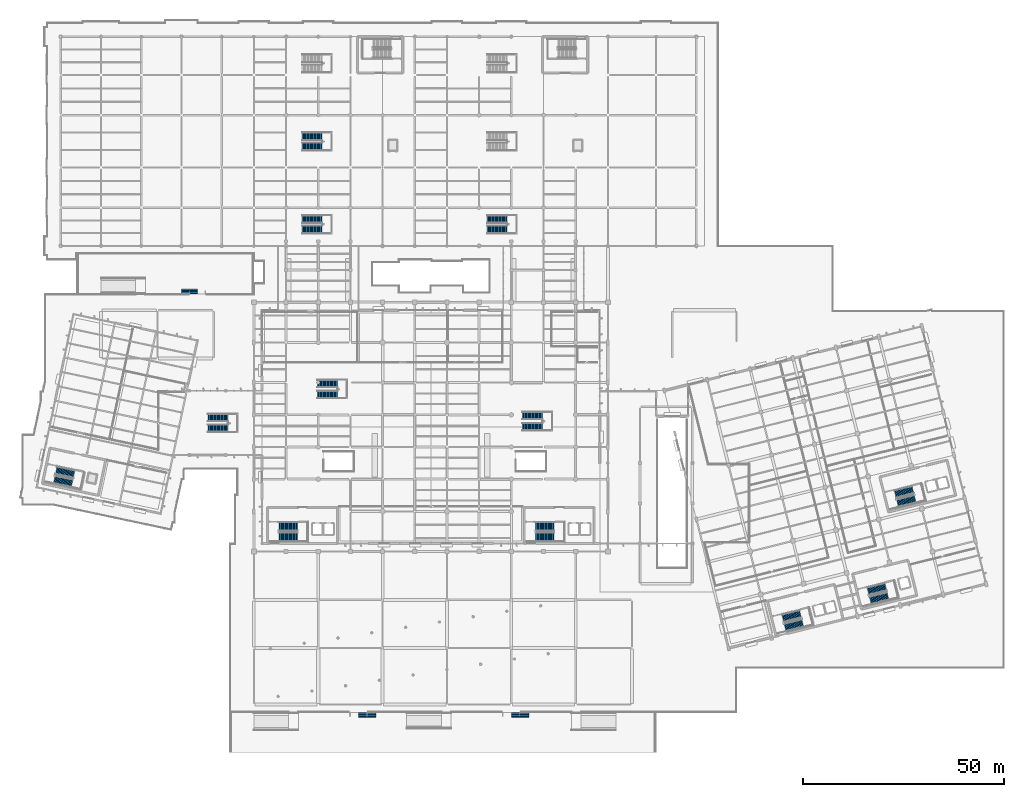
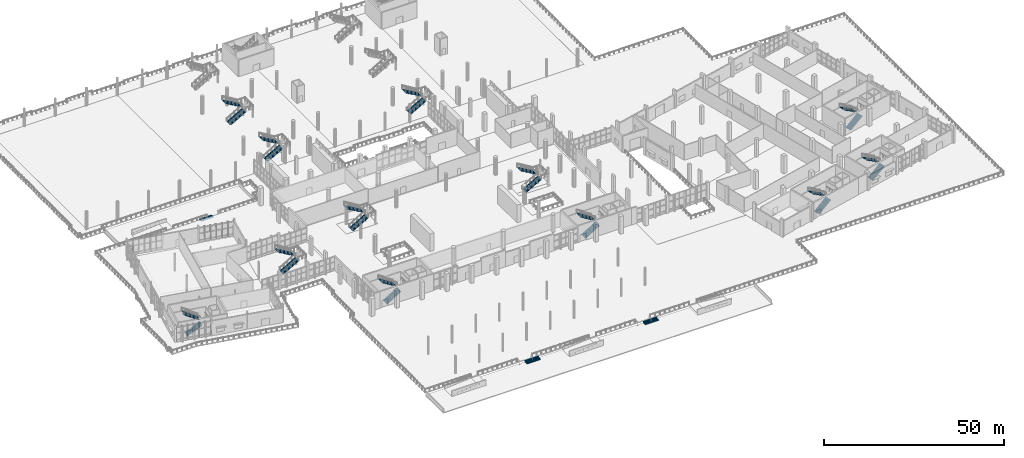
# One storey, part 132 of 163: 27 stair flights, 15 elements without a shape of their own.
"""IFC4 building model written with IfcOpenShell, lengths in metres."""

from ifc_helpers import new_model, si_unit, direction, frame, origin, place, context, subcontext, project, spatial, polyline, outline, extrude, material, type_object, element, aggregate, save


model = new_model("IFC4")

# Units and contexts
model_context = context("Model", 3, precision=1e-05, world=origin(), true_north=direction((0.0, 1.0)))
body_context = subcontext(model_context, "Body", "Model", "MODEL_VIEW")
ifc_project = project(units=[si_unit("LENGTHUNIT", "METRE"), si_unit("AREAUNIT", "SQUARE_METRE"), si_unit("VOLUMEUNIT", "CUBIC_METRE"), si_unit("PLANEANGLEUNIT", "RADIAN"), si_unit("MASSUNIT", "GRAM", prefix="KILO")], contexts=[model_context])

# Site, building, storey
site_placement = place(None, origin())
site = spatial("IfcSite", under=ifc_project, at=site_placement, CompositionType="ELEMENT")
building_placement = place(site_placement, origin())
building = spatial("IfcBuilding", under=site, at=building_placement, Name="Khorjan Park Terminus", CompositionType="ELEMENT")
storey_placement = place(building_placement, origin())
storey = spatial("IfcBuildingStorey", under=building, at=storey_placement, Name="L00", CompositionType="ELEMENT", Elevation=0.0)

# Stair, stair flight
ifc_material = material(Name="Concrete C40/50", Category="concrete")
stair_type_1 = type_object("IfcStairType", Name="STR-CIV-400", PredefinedType="STRAIGHT_RUN_STAIR", material=ifc_material)
stair_1_placement = place(storey_placement, origin())
stair_1 = element("IfcStair", 1, at=stair_1_placement, inside=storey, type_object=stair_type_1, Name="Monumental civic entrance stair ES-03", PredefinedType="STRAIGHT_RUN_STAIR")
stair_flight_type_1 = type_object("IfcStairFlightType", Name="FLT-CIV-400", PredefinedType="STRAIGHT", material=ifc_material)
stair_flight_1_placement = place(storey_placement, frame((32.0, 91.28, -0.72), z_axis=(0.0, 0.0, 1.0), x_axis=(0.0, -1.0, 0.0)))
stair_flight_1 = element("IfcStairFlight", 2, at=stair_flight_1_placement, type_object=stair_flight_type_1, Name="Civic stair ES-03 flight", NumberOfRisers=5, NumberOfTreads=4, PredefinedType="STRAIGHT", RiserHeight=0.144, TreadLength=0.32, context=body_context, shape_type="SweptSolid", body=[
    extrude(outline(polyline([(0.0, 0.0), (0.0, 0.144), (0.32, 0.144), (0.32, 0.288), (0.64, 0.288), (0.64, 0.432), (0.96, 0.432), (0.96, 0.576), (1.28, 0.576), (1.28, 0.0), (0.0, 0.0)])), frame((0.0, 2.0, 0.0), z_axis=(0.0, -1.0, 0.0), x_axis=(1.0, 0.0, 0.0)), (0.0, 0.0, 1.0), 4.0),
])
aggregate(stair_1, [stair_flight_1])

stair_type_2 = type_object("IfcStairType", Name="STR-CIV-440", PredefinedType="STRAIGHT_RUN_STAIR", material=ifc_material)
stair_2_placement = place(storey_placement, origin())
stair_2 = element("IfcStair", 3, at=stair_2_placement, inside=storey, type_object=stair_type_2, Name="Monumental civic entrance stair ES-01", PredefinedType="STRAIGHT_RUN_STAIR")
stair_flight_type_2 = type_object("IfcStairFlightType", Name="FLT-CIV-440", PredefinedType="STRAIGHT", material=ifc_material)
stair_flight_2_placement = place(storey_placement, frame((76.2, -15.28, -0.72), z_axis=(0.0, 0.0, 1.0), x_axis=(0.0, 1.0, 0.0)))
stair_flight_2 = element("IfcStairFlight", 4, at=stair_flight_2_placement, type_object=stair_flight_type_2, Name="Civic stair ES-01 flight", NumberOfRisers=5, NumberOfTreads=4, PredefinedType="STRAIGHT", RiserHeight=0.144, TreadLength=0.32, context=body_context, shape_type="SweptSolid", body=[
    extrude(outline(polyline([(0.0, 0.0), (0.0, 0.144), (0.32, 0.144), (0.32, 0.288), (0.64, 0.288), (0.64, 0.432), (0.96, 0.432), (0.96, 0.576), (1.28, 0.576), (1.28, 0.0), (0.0, 0.0)])), frame((0.0, 2.2, 0.0), z_axis=(0.0, -1.0, 0.0), x_axis=(1.0, 0.0, 0.0)), (0.0, 0.0, 1.0), 4.4),
])
aggregate(stair_2, [stair_flight_2])

stair_3_placement = place(storey_placement, origin())
stair_3 = element("IfcStair", 5, at=stair_3_placement, inside=storey, type_object=stair_type_2, Name="Monumental civic entrance stair ES-02", PredefinedType="STRAIGHT_RUN_STAIR")
stair_flight_3_placement = place(storey_placement, frame((114.2, -15.28, -0.72), z_axis=(0.0, 0.0, 1.0), x_axis=(0.0, 1.0, 0.0)))
stair_flight_3 = element("IfcStairFlight", 6, at=stair_flight_3_placement, type_object=stair_flight_type_2, Name="Civic stair ES-02 flight", NumberOfRisers=5, NumberOfTreads=4, PredefinedType="STRAIGHT", RiserHeight=0.144, TreadLength=0.32, context=body_context, shape_type="SweptSolid", body=[
    extrude(outline(polyline([(0.0, 0.0), (0.0, 0.144), (0.32, 0.144), (0.32, 0.288), (0.64, 0.288), (0.64, 0.432), (0.96, 0.432), (0.96, 0.576), (1.28, 0.576), (1.28, 0.0), (0.0, 0.0)])), frame((0.0, 2.2, 0.0), z_axis=(0.0, -1.0, 0.0), x_axis=(1.0, 0.0, 0.0)), (0.0, 0.0, 1.0), 4.4),
])
aggregate(stair_3, [stair_flight_3])

# Stair, stair flights
stair_type_3 = type_object("IfcStairType", Name="STR-CORE-200", PredefinedType="HALF_TURN_STAIR", material=ifc_material)
stair_4_placement = place(storey_placement, origin())
stair_4 = element("IfcStair", 7, at=stair_4_placement, inside=storey, type_object=stair_type_3, Name="L00 Operations West Firefighting Core exit stair ST-03", PredefinedType="HALF_TURN_STAIR")
stair_flight_type_3 = type_object("IfcStairFlightType", Name="FLT-STC-20", PredefinedType="STRAIGHT", material=ifc_material)
stair_flight_4_placement = place(storey_placement, frame((180.0436, 7.0989, 0.0), z_axis=(0.0, 0.0, 1.0), x_axis=(0.970295726276, 0.2419218956, 0.0)))
stair_flight_4 = element("IfcStairFlight", 8, at=stair_flight_4_placement, type_object=stair_flight_type_3, Name="ST-03 flight 1", NumberOfRisers=17, NumberOfTreads=16, PredefinedType="STRAIGHT", RiserHeight=0.176470588, TreadLength=0.285, context=body_context, shape_type="SweptSolid", body=[
    extrude(outline(polyline([(0.0, 0.0), (0.0, 0.1765), (0.285, 0.1765), (0.285, 0.3529), (0.57, 0.3529), (0.57, 0.5294), (0.855, 0.5294), (0.855, 0.7059), (1.14, 0.7059), (1.14, 0.8824), (1.425, 0.8824), (1.425, 1.0588), (1.71, 1.0588), (1.71, 1.2353), (1.995, 1.2353), (1.995, 1.4118), (2.28, 1.4118), (2.28, 1.5882), (2.565, 1.5882), (2.565, 1.7647), (2.85, 1.7647), (2.85, 1.9412), (3.135, 1.9412), (3.135, 2.1176), (3.42, 2.1176), (3.42, 2.2941), (3.705, 2.2941), (3.705, 2.4706), (3.99, 2.4706), (3.99, 2.6471), (4.275, 2.6471), (4.275, 2.8235), (4.56, 2.8235), (4.56, 3.0), (4.56, 2.6353), (0.3039, 0.0), (0.0, 0.0)])), frame((0.0, 1.0, 0.0), z_axis=(0.0, -1.0, 0.0), x_axis=(1.0, 0.0, 0.0)), (0.0, 0.0, 1.0), 2.0),
])
stair_flight_5_placement = place(storey_placement, frame((183.8972, 10.4919, 3.0), z_axis=(0.0, 0.0, 1.0), x_axis=(-0.970295726276, -0.2419218956, 0.0)))
stair_flight_5 = element("IfcStairFlight", 9, at=stair_flight_5_placement, type_object=stair_flight_type_3, Name="ST-03 flight 2", NumberOfRisers=17, NumberOfTreads=16, PredefinedType="STRAIGHT", RiserHeight=0.176470588, TreadLength=0.285, context=body_context, shape_type="SweptSolid", body=[
    extrude(outline(polyline([(0.0, 0.0), (0.0, 0.1765), (0.285, 0.1765), (0.285, 0.3529), (0.57, 0.3529), (0.57, 0.5294), (0.855, 0.5294), (0.855, 0.7059), (1.14, 0.7059), (1.14, 0.8824), (1.425, 0.8824), (1.425, 1.0588), (1.71, 1.0588), (1.71, 1.2353), (1.995, 1.2353), (1.995, 1.4118), (2.28, 1.4118), (2.28, 1.5882), (2.565, 1.5882), (2.565, 1.7647), (2.85, 1.7647), (2.85, 1.9412), (3.135, 1.9412), (3.135, 2.1176), (3.42, 2.1176), (3.42, 2.2941), (3.705, 2.2941), (3.705, 2.4706), (3.99, 2.4706), (3.99, 2.6471), (4.275, 2.6471), (4.275, 2.8235), (4.56, 2.8235), (4.56, 3.0), (4.56, 2.6353), (0.3039, 0.0), (0.0, 0.0)])), frame((0.0, 1.0, 0.0), z_axis=(0.0, -1.0, 0.0), x_axis=(1.0, 0.0, 0.0)), (0.0, 0.0, 1.0), 2.0),
])
aggregate(stair_4, [stair_flight_4, stair_flight_5])

stair_5_placement = place(storey_placement, origin())
stair_5 = element("IfcStair", 10, at=stair_5_placement, inside=storey, type_object=stair_type_3, Name="L00 Operations North-East Firefighting Core exit stair ST-04", PredefinedType="HALF_TURN_STAIR")
stair_flight_6_placement = place(storey_placement, frame((208.0033, 37.9803, 0.0), z_axis=(0.0, 0.0, 1.0), x_axis=(0.970295726276, 0.2419218956, 0.0)))
stair_flight_6 = element("IfcStairFlight", 11, at=stair_flight_6_placement, type_object=stair_flight_type_3, Name="ST-04 flight 1", NumberOfRisers=17, NumberOfTreads=16, PredefinedType="STRAIGHT", RiserHeight=0.176470588, TreadLength=0.285, context=body_context, shape_type="SweptSolid", body=[
    extrude(outline(polyline([(0.0, 0.0), (0.0, 0.1765), (0.285, 0.1765), (0.285, 0.3529), (0.57, 0.3529), (0.57, 0.5294), (0.855, 0.5294), (0.855, 0.7059), (1.14, 0.7059), (1.14, 0.8824), (1.425, 0.8824), (1.425, 1.0588), (1.71, 1.0588), (1.71, 1.2353), (1.995, 1.2353), (1.995, 1.4118), (2.28, 1.4118), (2.28, 1.5882), (2.565, 1.5882), (2.565, 1.7647), (2.85, 1.7647), (2.85, 1.9412), (3.135, 1.9412), (3.135, 2.1176), (3.42, 2.1176), (3.42, 2.2941), (3.705, 2.2941), (3.705, 2.4706), (3.99, 2.4706), (3.99, 2.6471), (4.275, 2.6471), (4.275, 2.8235), (4.56, 2.8235), (4.56, 3.0), (4.56, 2.6353), (0.3039, 0.0), (0.0, 0.0)])), frame((0.0, 1.0, 0.0), z_axis=(0.0, -1.0, 0.0), x_axis=(1.0, 0.0, 0.0)), (0.0, 0.0, 1.0), 2.0),
])
stair_flight_7_placement = place(storey_placement, frame((211.8569, 41.3733, 3.0), z_axis=(0.0, 0.0, 1.0), x_axis=(-0.970295726276, -0.2419218956, 0.0)))
stair_flight_7 = element("IfcStairFlight", 12, at=stair_flight_7_placement, type_object=stair_flight_type_3, Name="ST-04 flight 2", NumberOfRisers=17, NumberOfTreads=16, PredefinedType="STRAIGHT", RiserHeight=0.176470588, TreadLength=0.285, context=body_context, shape_type="SweptSolid", body=[
    extrude(outline(polyline([(0.0, 0.0), (0.0, 0.1765), (0.285, 0.1765), (0.285, 0.3529), (0.57, 0.3529), (0.57, 0.5294), (0.855, 0.5294), (0.855, 0.7059), (1.14, 0.7059), (1.14, 0.8824), (1.425, 0.8824), (1.425, 1.0588), (1.71, 1.0588), (1.71, 1.2353), (1.995, 1.2353), (1.995, 1.4118), (2.28, 1.4118), (2.28, 1.5882), (2.565, 1.5882), (2.565, 1.7647), (2.85, 1.7647), (2.85, 1.9412), (3.135, 1.9412), (3.135, 2.1176), (3.42, 2.1176), (3.42, 2.2941), (3.705, 2.2941), (3.705, 2.4706), (3.99, 2.4706), (3.99, 2.6471), (4.275, 2.6471), (4.275, 2.8235), (4.56, 2.8235), (4.56, 3.0), (4.56, 2.6353), (0.3039, 0.0), (0.0, 0.0)])), frame((0.0, 1.0, 0.0), z_axis=(0.0, -1.0, 0.0), x_axis=(1.0, 0.0, 0.0)), (0.0, 0.0, 1.0), 2.0),
])
aggregate(stair_5, [stair_flight_6, stair_flight_7])

stair_6_placement = place(storey_placement, origin())
stair_6 = element("IfcStair", 13, at=stair_6_placement, inside=storey, type_object=stair_type_3, Name="L00 Operations Central Command Core exit stair ST-05", PredefinedType="HALF_TURN_STAIR")
stair_flight_8_placement = place(storey_placement, frame((201.2455, 13.828, 0.0), z_axis=(0.0, 0.0, 1.0), x_axis=(0.970295726276, 0.2419218956, 0.0)))
stair_flight_8 = element("IfcStairFlight", 14, at=stair_flight_8_placement, type_object=stair_flight_type_3, Name="ST-05 flight 1", NumberOfRisers=17, NumberOfTreads=16, PredefinedType="STRAIGHT", RiserHeight=0.176470588, TreadLength=0.285, context=body_context, shape_type="SweptSolid", body=[
    extrude(outline(polyline([(0.0, 0.0), (0.0, 0.1765), (0.285, 0.1765), (0.285, 0.3529), (0.57, 0.3529), (0.57, 0.5294), (0.855, 0.5294), (0.855, 0.7059), (1.14, 0.7059), (1.14, 0.8824), (1.425, 0.8824), (1.425, 1.0588), (1.71, 1.0588), (1.71, 1.2353), (1.995, 1.2353), (1.995, 1.4118), (2.28, 1.4118), (2.28, 1.5882), (2.565, 1.5882), (2.565, 1.7647), (2.85, 1.7647), (2.85, 1.9412), (3.135, 1.9412), (3.135, 2.1176), (3.42, 2.1176), (3.42, 2.2941), (3.705, 2.2941), (3.705, 2.4706), (3.99, 2.4706), (3.99, 2.6471), (4.275, 2.6471), (4.275, 2.8235), (4.56, 2.8235), (4.56, 3.0), (4.56, 2.6353), (0.3039, 0.0), (0.0, 0.0)])), frame((0.0, 1.0, 0.0), z_axis=(0.0, -1.0, 0.0), x_axis=(1.0, 0.0, 0.0)), (0.0, 0.0, 1.0), 2.0),
])
stair_flight_9_placement = place(storey_placement, frame((205.0991, 17.221, 3.0), z_axis=(0.0, 0.0, 1.0), x_axis=(-0.970295726276, -0.2419218956, 0.0)))
stair_flight_9 = element("IfcStairFlight", 15, at=stair_flight_9_placement, type_object=stair_flight_type_3, Name="ST-05 flight 2", NumberOfRisers=17, NumberOfTreads=16, PredefinedType="STRAIGHT", RiserHeight=0.176470588, TreadLength=0.285, context=body_context, shape_type="SweptSolid", body=[
    extrude(outline(polyline([(0.0, 0.0), (0.0, 0.1765), (0.285, 0.1765), (0.285, 0.3529), (0.57, 0.3529), (0.57, 0.5294), (0.855, 0.5294), (0.855, 0.7059), (1.14, 0.7059), (1.14, 0.8824), (1.425, 0.8824), (1.425, 1.0588), (1.71, 1.0588), (1.71, 1.2353), (1.995, 1.2353), (1.995, 1.4118), (2.28, 1.4118), (2.28, 1.5882), (2.565, 1.5882), (2.565, 1.7647), (2.85, 1.7647), (2.85, 1.9412), (3.135, 1.9412), (3.135, 2.1176), (3.42, 2.1176), (3.42, 2.2941), (3.705, 2.2941), (3.705, 2.4706), (3.99, 2.4706), (3.99, 2.6471), (4.275, 2.6471), (4.275, 2.8235), (4.56, 2.8235), (4.56, 3.0), (4.56, 2.6353), (0.3039, 0.0), (0.0, 0.0)])), frame((0.0, 1.0, 0.0), z_axis=(0.0, -1.0, 0.0), x_axis=(1.0, 0.0, 0.0)), (0.0, 0.0, 1.0), 2.0),
])
aggregate(stair_6, [stair_flight_8, stair_flight_9])

stair_7_placement = place(storey_placement, origin())
stair_7 = element("IfcStair", 16, at=stair_7_placement, inside=storey, type_object=stair_type_3, Name="L00 Park Pavilion Exit Core exit stair ST-08", PredefinedType="HALF_TURN_STAIR")
stair_flight_10_placement = place(storey_placement, frame((-1.6526, 43.8873, 0.0), z_axis=(0.0, 0.0, 1.0), x_axis=(0.978147600734, -0.207911690818, 0.0)))
stair_flight_10 = element("IfcStairFlight", 17, at=stair_flight_10_placement, type_object=stair_flight_type_3, Name="ST-08 flight 1", NumberOfRisers=17, NumberOfTreads=16, PredefinedType="STRAIGHT", RiserHeight=0.176470588, TreadLength=0.285, context=body_context, shape_type="SweptSolid", body=[
    extrude(outline(polyline([(0.0, 0.0), (0.0, 0.1765), (0.285, 0.1765), (0.285, 0.3529), (0.57, 0.3529), (0.57, 0.5294), (0.855, 0.5294), (0.855, 0.7059), (1.14, 0.7059), (1.14, 0.8824), (1.425, 0.8824), (1.425, 1.0588), (1.71, 1.0588), (1.71, 1.2353), (1.995, 1.2353), (1.995, 1.4118), (2.28, 1.4118), (2.28, 1.5882), (2.565, 1.5882), (2.565, 1.7647), (2.85, 1.7647), (2.85, 1.9412), (3.135, 1.9412), (3.135, 2.1176), (3.42, 2.1176), (3.42, 2.2941), (3.705, 2.2941), (3.705, 2.4706), (3.99, 2.4706), (3.99, 2.6471), (4.275, 2.6471), (4.275, 2.8235), (4.56, 2.8235), (4.56, 3.0), (4.56, 2.6353), (0.3039, 0.0), (0.0, 0.0)])), frame((0.0, 1.0, 0.0), z_axis=(0.0, -1.0, 0.0), x_axis=(1.0, 0.0, 0.0)), (0.0, 0.0, 1.0), 2.0),
])
stair_flight_11_placement = place(storey_placement, frame((3.2984, 45.2477, 3.0), z_axis=(0.0, 0.0, 1.0), x_axis=(-0.978147600734, 0.207911690818, 0.0)))
stair_flight_11 = element("IfcStairFlight", 18, at=stair_flight_11_placement, type_object=stair_flight_type_3, Name="ST-08 flight 2", NumberOfRisers=17, NumberOfTreads=16, PredefinedType="STRAIGHT", RiserHeight=0.176470588, TreadLength=0.285, context=body_context, shape_type="SweptSolid", body=[
    extrude(outline(polyline([(0.0, 0.0), (0.0, 0.1765), (0.285, 0.1765), (0.285, 0.3529), (0.57, 0.3529), (0.57, 0.5294), (0.855, 0.5294), (0.855, 0.7059), (1.14, 0.7059), (1.14, 0.8824), (1.425, 0.8824), (1.425, 1.0588), (1.71, 1.0588), (1.71, 1.2353), (1.995, 1.2353), (1.995, 1.4118), (2.28, 1.4118), (2.28, 1.5882), (2.565, 1.5882), (2.565, 1.7647), (2.85, 1.7647), (2.85, 1.9412), (3.135, 1.9412), (3.135, 2.1176), (3.42, 2.1176), (3.42, 2.2941), (3.705, 2.2941), (3.705, 2.4706), (3.99, 2.4706), (3.99, 2.6471), (4.275, 2.6471), (4.275, 2.8235), (4.56, 2.8235), (4.56, 3.0), (4.56, 2.6353), (0.3039, 0.0), (0.0, 0.0)])), frame((0.0, 1.0, 0.0), z_axis=(0.0, -1.0, 0.0), x_axis=(1.0, 0.0, 0.0)), (0.0, 0.0, 1.0), 2.0),
])
aggregate(stair_7, [stair_flight_10, stair_flight_11])

stair_type_4 = type_object("IfcStairType", Name="STR-CORE-220", PredefinedType="HALF_TURN_STAIR", material=ifc_material)
stair_8_placement = place(storey_placement, origin())
stair_8 = element("IfcStair", 19, at=stair_8_placement, inside=storey, type_object=stair_type_4, Name="L00 West Concourse Core exit stair ST-01", PredefinedType="HALF_TURN_STAIR")
stair_flight_type_4 = type_object("IfcStairFlightType", Name="FLT-STC-22", PredefinedType="STRAIGHT", material=ifc_material)
stair_flight_12_placement = place(storey_placement, frame((54.26, 29.65, 0.0), z_axis=(0.0, 0.0, 1.0), x_axis=(1.0, 0.0, 0.0)))
stair_flight_12 = element("IfcStairFlight", 20, at=stair_flight_12_placement, type_object=stair_flight_type_4, Name="ST-01 flight 1", NumberOfRisers=17, NumberOfTreads=16, PredefinedType="STRAIGHT", RiserHeight=0.176470588, TreadLength=0.285, context=body_context, shape_type="SweptSolid", body=[
    extrude(outline(polyline([(0.0, 0.0), (0.0, 0.1765), (0.285, 0.1765), (0.285, 0.3529), (0.57, 0.3529), (0.57, 0.5294), (0.855, 0.5294), (0.855, 0.7059), (1.14, 0.7059), (1.14, 0.8824), (1.425, 0.8824), (1.425, 1.0588), (1.71, 1.0588), (1.71, 1.2353), (1.995, 1.2353), (1.995, 1.4118), (2.28, 1.4118), (2.28, 1.5882), (2.565, 1.5882), (2.565, 1.7647), (2.85, 1.7647), (2.85, 1.9412), (3.135, 1.9412), (3.135, 2.1176), (3.42, 2.1176), (3.42, 2.2941), (3.705, 2.2941), (3.705, 2.4706), (3.99, 2.4706), (3.99, 2.6471), (4.275, 2.6471), (4.275, 2.8235), (4.56, 2.8235), (4.56, 3.0), (4.56, 2.6353), (0.3039, 0.0), (0.0, 0.0)])), frame((0.0, 1.1, 0.0), z_axis=(0.0, -1.0, 0.0), x_axis=(1.0, 0.0, 0.0)), (0.0, 0.0, 1.0), 2.2),
])
stair_flight_13_placement = place(storey_placement, frame((58.82, 32.21, 3.0), z_axis=(0.0, 0.0, 1.0), x_axis=(-1.0, 0.0, 0.0)))
stair_flight_13 = element("IfcStairFlight", 21, at=stair_flight_13_placement, type_object=stair_flight_type_4, Name="ST-01 flight 2", NumberOfRisers=17, NumberOfTreads=16, PredefinedType="STRAIGHT", RiserHeight=0.176470588, TreadLength=0.285, context=body_context, shape_type="SweptSolid", body=[
    extrude(outline(polyline([(0.0, 0.0), (0.0, 0.1765), (0.285, 0.1765), (0.285, 0.3529), (0.57, 0.3529), (0.57, 0.5294), (0.855, 0.5294), (0.855, 0.7059), (1.14, 0.7059), (1.14, 0.8824), (1.425, 0.8824), (1.425, 1.0588), (1.71, 1.0588), (1.71, 1.2353), (1.995, 1.2353), (1.995, 1.4118), (2.28, 1.4118), (2.28, 1.5882), (2.565, 1.5882), (2.565, 1.7647), (2.85, 1.7647), (2.85, 1.9412), (3.135, 1.9412), (3.135, 2.1176), (3.42, 2.1176), (3.42, 2.2941), (3.705, 2.2941), (3.705, 2.4706), (3.99, 2.4706), (3.99, 2.6471), (4.275, 2.6471), (4.275, 2.8235), (4.56, 2.8235), (4.56, 3.0), (4.56, 2.6353), (0.3039, 0.0), (0.0, 0.0)])), frame((0.0, 1.1, 0.0), z_axis=(0.0, -1.0, 0.0), x_axis=(1.0, 0.0, 0.0)), (0.0, 0.0, 1.0), 2.2),
])
aggregate(stair_8, [stair_flight_12, stair_flight_13])

stair_9_placement = place(storey_placement, origin())
stair_9 = element("IfcStair", 22, at=stair_9_placement, inside=storey, type_object=stair_type_4, Name="L00 East Concourse Core exit stair ST-02", PredefinedType="HALF_TURN_STAIR")
stair_flight_14_placement = place(storey_placement, frame((118.06, 29.65, 0.0), z_axis=(0.0, 0.0, 1.0), x_axis=(1.0, 0.0, 0.0)))
stair_flight_14 = element("IfcStairFlight", 23, at=stair_flight_14_placement, type_object=stair_flight_type_4, Name="ST-02 flight 1", NumberOfRisers=17, NumberOfTreads=16, PredefinedType="STRAIGHT", RiserHeight=0.176470588, TreadLength=0.285, context=body_context, shape_type="SweptSolid", body=[
    extrude(outline(polyline([(0.0, 0.0), (0.0, 0.1765), (0.285, 0.1765), (0.285, 0.3529), (0.57, 0.3529), (0.57, 0.5294), (0.855, 0.5294), (0.855, 0.7059), (1.14, 0.7059), (1.14, 0.8824), (1.425, 0.8824), (1.425, 1.0588), (1.71, 1.0588), (1.71, 1.2353), (1.995, 1.2353), (1.995, 1.4118), (2.28, 1.4118), (2.28, 1.5882), (2.565, 1.5882), (2.565, 1.7647), (2.85, 1.7647), (2.85, 1.9412), (3.135, 1.9412), (3.135, 2.1176), (3.42, 2.1176), (3.42, 2.2941), (3.705, 2.2941), (3.705, 2.4706), (3.99, 2.4706), (3.99, 2.6471), (4.275, 2.6471), (4.275, 2.8235), (4.56, 2.8235), (4.56, 3.0), (4.56, 2.6353), (0.3039, 0.0), (0.0, 0.0)])), frame((0.0, 1.1, 0.0), z_axis=(0.0, -1.0, 0.0), x_axis=(1.0, 0.0, 0.0)), (0.0, 0.0, 1.0), 2.2),
])
stair_flight_15_placement = place(storey_placement, frame((122.62, 32.21, 3.0), z_axis=(0.0, 0.0, 1.0), x_axis=(-1.0, 0.0, 0.0)))
stair_flight_15 = element("IfcStairFlight", 24, at=stair_flight_15_placement, type_object=stair_flight_type_4, Name="ST-02 flight 2", NumberOfRisers=17, NumberOfTreads=16, PredefinedType="STRAIGHT", RiserHeight=0.176470588, TreadLength=0.285, context=body_context, shape_type="SweptSolid", body=[
    extrude(outline(polyline([(0.0, 0.0), (0.0, 0.1765), (0.285, 0.1765), (0.285, 0.3529), (0.57, 0.3529), (0.57, 0.5294), (0.855, 0.5294), (0.855, 0.7059), (1.14, 0.7059), (1.14, 0.8824), (1.425, 0.8824), (1.425, 1.0588), (1.71, 1.0588), (1.71, 1.2353), (1.995, 1.2353), (1.995, 1.4118), (2.28, 1.4118), (2.28, 1.5882), (2.565, 1.5882), (2.565, 1.7647), (2.85, 1.7647), (2.85, 1.9412), (3.135, 1.9412), (3.135, 2.1176), (3.42, 2.1176), (3.42, 2.2941), (3.705, 2.2941), (3.705, 2.4706), (3.99, 2.4706), (3.99, 2.6471), (4.275, 2.6471), (4.275, 2.8235), (4.56, 2.8235), (4.56, 3.0), (4.56, 2.6353), (0.3039, 0.0), (0.0, 0.0)])), frame((0.0, 1.1, 0.0), z_axis=(0.0, -1.0, 0.0), x_axis=(1.0, 0.0, 0.0)), (0.0, 0.0, 1.0), 2.2),
])
aggregate(stair_9, [stair_flight_14, stair_flight_15])

stair_type_5 = type_object("IfcStairType", Name="STR-PUB-190", PredefinedType="HALF_TURN_STAIR", material=ifc_material)
stair_10_placement = place(storey_placement, origin())
stair_10 = element("IfcStair", 25, at=stair_10_placement, inside=storey, type_object=stair_type_5, Name="Public passenger half-turn stair CS-03", PredefinedType="HALF_TURN_STAIR")
stair_flight_type_5 = type_object("IfcStairFlightType", Name="FLT-STP-19", PredefinedType="STRAIGHT", material=ifc_material)
stair_flight_16_placement = place(storey_placement, frame((63.8, 65.01, 0.0), z_axis=(0.0, 0.0, 1.0), x_axis=(1.0, 0.0, 0.0)))
stair_flight_16 = element("IfcStairFlight", 26, at=stair_flight_16_placement, type_object=stair_flight_type_5, Name="Stair CS-03 lower flight", NumberOfRisers=18, NumberOfTreads=17, PredefinedType="STRAIGHT", RiserHeight=0.166667, TreadLength=0.29, context=body_context, shape_type="SweptSolid", body=[
    extrude(outline(polyline([(0.0, 0.0), (0.0, 0.1667), (0.29, 0.1667), (0.29, 0.3333), (0.58, 0.3333), (0.58, 0.5), (0.87, 0.5), (0.87, 0.6667), (1.16, 0.6667), (1.16, 0.8333), (1.45, 0.8333), (1.45, 1.0), (1.74, 1.0), (1.74, 1.1667), (2.03, 1.1667), (2.03, 1.3333), (2.32, 1.3333), (2.32, 1.5), (2.61, 1.5), (2.61, 1.6667), (2.9, 1.6667), (2.9, 1.8333), (3.19, 1.8333), (3.19, 2.0), (3.48, 2.0), (3.48, 2.1667), (3.77, 2.1667), (3.77, 2.3333), (4.06, 2.3333), (4.06, 2.5), (4.35, 2.5), (4.35, 2.6667), (4.64, 2.6667), (4.64, 2.8333), (4.93, 2.8333), (4.93, 3.0), (4.93, 2.6488), (0.3211, 0.0), (0.0, 0.0)])), frame((0.0, 0.95, 0.0), z_axis=(0.0, -1.0, 0.0), x_axis=(1.0, 0.0, 0.0)), (0.0, 0.0, 1.0), 1.9),
])
stair_flight_17_placement = place(storey_placement, frame((68.73, 67.79, 3.0), z_axis=(0.0, 0.0, 1.0), x_axis=(-1.0, 0.0, 0.0)))
stair_flight_17 = element("IfcStairFlight", 27, at=stair_flight_17_placement, type_object=stair_flight_type_5, Name="Stair CS-03 upper flight", NumberOfRisers=18, NumberOfTreads=17, PredefinedType="STRAIGHT", RiserHeight=0.166667, TreadLength=0.29, context=body_context, shape_type="SweptSolid", body=[
    extrude(outline(polyline([(0.0, 0.0), (0.0, 0.1667), (0.29, 0.1667), (0.29, 0.3333), (0.58, 0.3333), (0.58, 0.5), (0.87, 0.5), (0.87, 0.6667), (1.16, 0.6667), (1.16, 0.8333), (1.45, 0.8333), (1.45, 1.0), (1.74, 1.0), (1.74, 1.1667), (2.03, 1.1667), (2.03, 1.3333), (2.32, 1.3333), (2.32, 1.5), (2.61, 1.5), (2.61, 1.6667), (2.9, 1.6667), (2.9, 1.8333), (3.19, 1.8333), (3.19, 2.0), (3.48, 2.0), (3.48, 2.1667), (3.77, 2.1667), (3.77, 2.3333), (4.06, 2.3333), (4.06, 2.5), (4.35, 2.5), (4.35, 2.6667), (4.64, 2.6667), (4.64, 2.8333), (4.93, 2.8333), (4.93, 3.0), (4.93, 2.6488), (0.3211, 0.0), (0.0, 0.0)])), frame((0.0, 0.95, 0.0), z_axis=(0.0, -1.0, 0.0), x_axis=(1.0, 0.0, 0.0)), (0.0, 0.0, 1.0), 1.9),
])
aggregate(stair_10, [stair_flight_16, stair_flight_17])

stair_11_placement = place(storey_placement, origin())
stair_11 = element("IfcStair", 28, at=stair_11_placement, inside=storey, type_object=stair_type_5, Name="Public passenger half-turn stair CS-04", PredefinedType="HALF_TURN_STAIR")
stair_flight_18_placement = place(storey_placement, frame((114.8, 57.01, 0.0), z_axis=(0.0, 0.0, 1.0), x_axis=(1.0, 0.0, 0.0)))
stair_flight_18 = element("IfcStairFlight", 29, at=stair_flight_18_placement, type_object=stair_flight_type_5, Name="Stair CS-04 lower flight", NumberOfRisers=18, NumberOfTreads=17, PredefinedType="STRAIGHT", RiserHeight=0.166667, TreadLength=0.29, context=body_context, shape_type="SweptSolid", body=[
    extrude(outline(polyline([(0.0, 0.0), (0.0, 0.1667), (0.29, 0.1667), (0.29, 0.3333), (0.58, 0.3333), (0.58, 0.5), (0.87, 0.5), (0.87, 0.6667), (1.16, 0.6667), (1.16, 0.8333), (1.45, 0.8333), (1.45, 1.0), (1.74, 1.0), (1.74, 1.1667), (2.03, 1.1667), (2.03, 1.3333), (2.32, 1.3333), (2.32, 1.5), (2.61, 1.5), (2.61, 1.6667), (2.9, 1.6667), (2.9, 1.8333), (3.19, 1.8333), (3.19, 2.0), (3.48, 2.0), (3.48, 2.1667), (3.77, 2.1667), (3.77, 2.3333), (4.06, 2.3333), (4.06, 2.5), (4.35, 2.5), (4.35, 2.6667), (4.64, 2.6667), (4.64, 2.8333), (4.93, 2.8333), (4.93, 3.0), (4.93, 2.6488), (0.3211, 0.0), (0.0, 0.0)])), frame((0.0, 0.95, 0.0), z_axis=(0.0, -1.0, 0.0), x_axis=(1.0, 0.0, 0.0)), (0.0, 0.0, 1.0), 1.9),
])
stair_flight_19_placement = place(storey_placement, frame((119.73, 59.79, 3.0), z_axis=(0.0, 0.0, 1.0), x_axis=(-1.0, 0.0, 0.0)))
stair_flight_19 = element("IfcStairFlight", 30, at=stair_flight_19_placement, type_object=stair_flight_type_5, Name="Stair CS-04 upper flight", NumberOfRisers=18, NumberOfTreads=17, PredefinedType="STRAIGHT", RiserHeight=0.166667, TreadLength=0.29, context=body_context, shape_type="SweptSolid", body=[
    extrude(outline(polyline([(0.0, 0.0), (0.0, 0.1667), (0.29, 0.1667), (0.29, 0.3333), (0.58, 0.3333), (0.58, 0.5), (0.87, 0.5), (0.87, 0.6667), (1.16, 0.6667), (1.16, 0.8333), (1.45, 0.8333), (1.45, 1.0), (1.74, 1.0), (1.74, 1.1667), (2.03, 1.1667), (2.03, 1.3333), (2.32, 1.3333), (2.32, 1.5), (2.61, 1.5), (2.61, 1.6667), (2.9, 1.6667), (2.9, 1.8333), (3.19, 1.8333), (3.19, 2.0), (3.48, 2.0), (3.48, 2.1667), (3.77, 2.1667), (3.77, 2.3333), (4.06, 2.3333), (4.06, 2.5), (4.35, 2.5), (4.35, 2.6667), (4.64, 2.6667), (4.64, 2.8333), (4.93, 2.8333), (4.93, 3.0), (4.93, 2.6488), (0.3211, 0.0), (0.0, 0.0)])), frame((0.0, 0.95, 0.0), z_axis=(0.0, -1.0, 0.0), x_axis=(1.0, 0.0, 0.0)), (0.0, 0.0, 1.0), 1.9),
])
aggregate(stair_11, [stair_flight_18, stair_flight_19])

stair_12_placement = place(storey_placement, origin())
stair_12 = element("IfcStair", 31, at=stair_12_placement, inside=storey, type_object=stair_type_5, Name="Public passenger half-turn stair PVS-01", PredefinedType="HALF_TURN_STAIR")
stair_flight_20_placement = place(storey_placement, frame((36.6, 56.61, 0.0), z_axis=(0.0, 0.0, 1.0), x_axis=(1.0, 0.0, 0.0)))
stair_flight_20 = element("IfcStairFlight", 32, at=stair_flight_20_placement, type_object=stair_flight_type_5, Name="Stair PVS-01 lower flight", NumberOfRisers=18, NumberOfTreads=17, PredefinedType="STRAIGHT", RiserHeight=0.166667, TreadLength=0.29, context=body_context, shape_type="SweptSolid", body=[
    extrude(outline(polyline([(0.0, 0.0), (0.0, 0.1667), (0.29, 0.1667), (0.29, 0.3333), (0.58, 0.3333), (0.58, 0.5), (0.87, 0.5), (0.87, 0.6667), (1.16, 0.6667), (1.16, 0.8333), (1.45, 0.8333), (1.45, 1.0), (1.74, 1.0), (1.74, 1.1667), (2.03, 1.1667), (2.03, 1.3333), (2.32, 1.3333), (2.32, 1.5), (2.61, 1.5), (2.61, 1.6667), (2.9, 1.6667), (2.9, 1.8333), (3.19, 1.8333), (3.19, 2.0), (3.48, 2.0), (3.48, 2.1667), (3.77, 2.1667), (3.77, 2.3333), (4.06, 2.3333), (4.06, 2.5), (4.35, 2.5), (4.35, 2.6667), (4.64, 2.6667), (4.64, 2.8333), (4.93, 2.8333), (4.93, 3.0), (4.93, 2.6488), (0.3211, 0.0), (0.0, 0.0)])), frame((0.0, 0.95, 0.0), z_axis=(0.0, -1.0, 0.0), x_axis=(1.0, 0.0, 0.0)), (0.0, 0.0, 1.0), 1.9),
])
stair_flight_21_placement = place(storey_placement, frame((41.53, 59.29, 3.0), z_axis=(0.0, 0.0, 1.0), x_axis=(-1.0, 0.0, 0.0)))
stair_flight_21 = element("IfcStairFlight", 33, at=stair_flight_21_placement, type_object=stair_flight_type_5, Name="Stair PVS-01 upper flight", NumberOfRisers=18, NumberOfTreads=17, PredefinedType="STRAIGHT", RiserHeight=0.166667, TreadLength=0.29, context=body_context, shape_type="SweptSolid", body=[
    extrude(outline(polyline([(0.0, 0.0), (0.0, 0.1667), (0.29, 0.1667), (0.29, 0.3333), (0.58, 0.3333), (0.58, 0.5), (0.87, 0.5), (0.87, 0.6667), (1.16, 0.6667), (1.16, 0.8333), (1.45, 0.8333), (1.45, 1.0), (1.74, 1.0), (1.74, 1.1667), (2.03, 1.1667), (2.03, 1.3333), (2.32, 1.3333), (2.32, 1.5), (2.61, 1.5), (2.61, 1.6667), (2.9, 1.6667), (2.9, 1.8333), (3.19, 1.8333), (3.19, 2.0), (3.48, 2.0), (3.48, 2.1667), (3.77, 2.1667), (3.77, 2.3333), (4.06, 2.3333), (4.06, 2.5), (4.35, 2.5), (4.35, 2.6667), (4.64, 2.6667), (4.64, 2.8333), (4.93, 2.8333), (4.93, 3.0), (4.93, 2.6488), (0.3211, 0.0), (0.0, 0.0)])), frame((0.0, 0.95, 0.0), z_axis=(0.0, -1.0, 0.0), x_axis=(1.0, 0.0, 0.0)), (0.0, 0.0, 1.0), 1.9),
])
aggregate(stair_12, [stair_flight_20, stair_flight_21])

stair_type_6 = type_object("IfcStairType", Name="STR-PUB-200", PredefinedType="HALF_TURN_STAIR", material=ifc_material)
stair_13_placement = place(storey_placement, origin())
stair_13 = element("IfcStair", 34, at=stair_13_placement, inside=storey, type_object=stair_type_6, Name="Public passenger half-turn stair PS-01", PredefinedType="HALF_TURN_STAIR")
stair_flight_type_6 = type_object("IfcStairFlightType", Name="FLT-STP-20", PredefinedType="STRAIGHT", material=ifc_material)
stair_flight_22_placement = place(storey_placement, frame((60.0, 106.06, 0.0), z_axis=(0.0, 0.0, 1.0), x_axis=(1.0, 0.0, 0.0)))
stair_flight_22 = element("IfcStairFlight", 35, at=stair_flight_22_placement, type_object=stair_flight_type_6, Name="Stair PS-01 lower flight", NumberOfRisers=18, NumberOfTreads=17, PredefinedType="STRAIGHT", RiserHeight=0.166667, TreadLength=0.29, context=body_context, shape_type="SweptSolid", body=[
    extrude(outline(polyline([(0.0, 0.0), (0.0, 0.1667), (0.29, 0.1667), (0.29, 0.3333), (0.58, 0.3333), (0.58, 0.5), (0.87, 0.5), (0.87, 0.6667), (1.16, 0.6667), (1.16, 0.8333), (1.45, 0.8333), (1.45, 1.0), (1.74, 1.0), (1.74, 1.1667), (2.03, 1.1667), (2.03, 1.3333), (2.32, 1.3333), (2.32, 1.5), (2.61, 1.5), (2.61, 1.6667), (2.9, 1.6667), (2.9, 1.8333), (3.19, 1.8333), (3.19, 2.0), (3.48, 2.0), (3.48, 2.1667), (3.77, 2.1667), (3.77, 2.3333), (4.06, 2.3333), (4.06, 2.5), (4.35, 2.5), (4.35, 2.6667), (4.64, 2.6667), (4.64, 2.8333), (4.93, 2.8333), (4.93, 3.0), (4.93, 2.6488), (0.3211, 0.0), (0.0, 0.0)])), frame((0.0, 1.0, 0.0), z_axis=(0.0, -1.0, 0.0), x_axis=(1.0, 0.0, 0.0)), (0.0, 0.0, 1.0), 2.0),
])
stair_flight_23_placement = place(storey_placement, frame((64.93, 108.64, 3.0), z_axis=(0.0, 0.0, 1.0), x_axis=(-1.0, 0.0, 0.0)))
stair_flight_23 = element("IfcStairFlight", 36, at=stair_flight_23_placement, type_object=stair_flight_type_6, Name="Stair PS-01 upper flight", NumberOfRisers=18, NumberOfTreads=17, PredefinedType="STRAIGHT", RiserHeight=0.166667, TreadLength=0.29, context=body_context, shape_type="SweptSolid", body=[
    extrude(outline(polyline([(0.0, 0.0), (0.0, 0.1667), (0.29, 0.1667), (0.29, 0.3333), (0.58, 0.3333), (0.58, 0.5), (0.87, 0.5), (0.87, 0.6667), (1.16, 0.6667), (1.16, 0.8333), (1.45, 0.8333), (1.45, 1.0), (1.74, 1.0), (1.74, 1.1667), (2.03, 1.1667), (2.03, 1.3333), (2.32, 1.3333), (2.32, 1.5), (2.61, 1.5), (2.61, 1.6667), (2.9, 1.6667), (2.9, 1.8333), (3.19, 1.8333), (3.19, 2.0), (3.48, 2.0), (3.48, 2.1667), (3.77, 2.1667), (3.77, 2.3333), (4.06, 2.3333), (4.06, 2.5), (4.35, 2.5), (4.35, 2.6667), (4.64, 2.6667), (4.64, 2.8333), (4.93, 2.8333), (4.93, 3.0), (4.93, 2.6488), (0.3211, 0.0), (0.0, 0.0)])), frame((0.0, 1.0, 0.0), z_axis=(0.0, -1.0, 0.0), x_axis=(1.0, 0.0, 0.0)), (0.0, 0.0, 1.0), 2.0),
])
aggregate(stair_13, [stair_flight_22, stair_flight_23])

stair_14_placement = place(storey_placement, origin())
stair_14 = element("IfcStair", 37, at=stair_14_placement, inside=storey, type_object=stair_type_6, Name="Public passenger half-turn stair PS-02", PredefinedType="HALF_TURN_STAIR")
stair_flight_24_placement = place(storey_placement, frame((106.0, 106.06, 0.0), z_axis=(0.0, 0.0, 1.0), x_axis=(1.0, 0.0, 0.0)))
stair_flight_24 = element("IfcStairFlight", 38, at=stair_flight_24_placement, type_object=stair_flight_type_6, Name="Stair PS-02 lower flight", NumberOfRisers=18, NumberOfTreads=17, PredefinedType="STRAIGHT", RiserHeight=0.166667, TreadLength=0.29, context=body_context, shape_type="SweptSolid", body=[
    extrude(outline(polyline([(0.0, 0.0), (0.0, 0.1667), (0.29, 0.1667), (0.29, 0.3333), (0.58, 0.3333), (0.58, 0.5), (0.87, 0.5), (0.87, 0.6667), (1.16, 0.6667), (1.16, 0.8333), (1.45, 0.8333), (1.45, 1.0), (1.74, 1.0), (1.74, 1.1667), (2.03, 1.1667), (2.03, 1.3333), (2.32, 1.3333), (2.32, 1.5), (2.61, 1.5), (2.61, 1.6667), (2.9, 1.6667), (2.9, 1.8333), (3.19, 1.8333), (3.19, 2.0), (3.48, 2.0), (3.48, 2.1667), (3.77, 2.1667), (3.77, 2.3333), (4.06, 2.3333), (4.06, 2.5), (4.35, 2.5), (4.35, 2.6667), (4.64, 2.6667), (4.64, 2.8333), (4.93, 2.8333), (4.93, 3.0), (4.93, 2.6488), (0.3211, 0.0), (0.0, 0.0)])), frame((0.0, 1.0, 0.0), z_axis=(0.0, -1.0, 0.0), x_axis=(1.0, 0.0, 0.0)), (0.0, 0.0, 1.0), 2.0),
])
stair_flight_25_placement = place(storey_placement, frame((110.93, 108.64, 3.0), z_axis=(0.0, 0.0, 1.0), x_axis=(-1.0, 0.0, 0.0)))
stair_flight_25 = element("IfcStairFlight", 39, at=stair_flight_25_placement, type_object=stair_flight_type_6, Name="Stair PS-02 upper flight", NumberOfRisers=18, NumberOfTreads=17, PredefinedType="STRAIGHT", RiserHeight=0.166667, TreadLength=0.29, context=body_context, shape_type="SweptSolid", body=[
    extrude(outline(polyline([(0.0, 0.0), (0.0, 0.1667), (0.29, 0.1667), (0.29, 0.3333), (0.58, 0.3333), (0.58, 0.5), (0.87, 0.5), (0.87, 0.6667), (1.16, 0.6667), (1.16, 0.8333), (1.45, 0.8333), (1.45, 1.0), (1.74, 1.0), (1.74, 1.1667), (2.03, 1.1667), (2.03, 1.3333), (2.32, 1.3333), (2.32, 1.5), (2.61, 1.5), (2.61, 1.6667), (2.9, 1.6667), (2.9, 1.8333), (3.19, 1.8333), (3.19, 2.0), (3.48, 2.0), (3.48, 2.1667), (3.77, 2.1667), (3.77, 2.3333), (4.06, 2.3333), (4.06, 2.5), (4.35, 2.5), (4.35, 2.6667), (4.64, 2.6667), (4.64, 2.8333), (4.93, 2.8333), (4.93, 3.0), (4.93, 2.6488), (0.3211, 0.0), (0.0, 0.0)])), frame((0.0, 1.0, 0.0), z_axis=(0.0, -1.0, 0.0), x_axis=(1.0, 0.0, 0.0)), (0.0, 0.0, 1.0), 2.0),
])
aggregate(stair_14, [stair_flight_24, stair_flight_25])

stair_15_placement = place(storey_placement, origin())
stair_15 = element("IfcStair", 40, at=stair_15_placement, inside=storey, type_object=stair_type_6, Name="Public passenger half-turn stair PS-03", PredefinedType="HALF_TURN_STAIR")
stair_flight_26_placement = place(storey_placement, frame((60.0, 126.66, 0.0), z_axis=(0.0, 0.0, 1.0), x_axis=(1.0, 0.0, 0.0)))
stair_flight_26 = element("IfcStairFlight", 41, at=stair_flight_26_placement, type_object=stair_flight_type_6, Name="Stair PS-03 lower flight", NumberOfRisers=18, NumberOfTreads=17, PredefinedType="STRAIGHT", RiserHeight=0.166667, TreadLength=0.29, context=body_context, shape_type="SweptSolid", body=[
    extrude(outline(polyline([(0.0, 0.0), (0.0, 0.1667), (0.29, 0.1667), (0.29, 0.3333), (0.58, 0.3333), (0.58, 0.5), (0.87, 0.5), (0.87, 0.6667), (1.16, 0.6667), (1.16, 0.8333), (1.45, 0.8333), (1.45, 1.0), (1.74, 1.0), (1.74, 1.1667), (2.03, 1.1667), (2.03, 1.3333), (2.32, 1.3333), (2.32, 1.5), (2.61, 1.5), (2.61, 1.6667), (2.9, 1.6667), (2.9, 1.8333), (3.19, 1.8333), (3.19, 2.0), (3.48, 2.0), (3.48, 2.1667), (3.77, 2.1667), (3.77, 2.3333), (4.06, 2.3333), (4.06, 2.5), (4.35, 2.5), (4.35, 2.6667), (4.64, 2.6667), (4.64, 2.8333), (4.93, 2.8333), (4.93, 3.0), (4.93, 2.6488), (0.3211, 0.0), (0.0, 0.0)])), frame((0.0, 1.0, 0.0), z_axis=(0.0, -1.0, 0.0), x_axis=(1.0, 0.0, 0.0)), (0.0, 0.0, 1.0), 2.0),
])
stair_flight_27_placement = place(storey_placement, frame((64.93, 129.24, 3.0), z_axis=(0.0, 0.0, 1.0), x_axis=(-1.0, 0.0, 0.0)))
stair_flight_27 = element("IfcStairFlight", 42, at=stair_flight_27_placement, type_object=stair_flight_type_6, Name="Stair PS-03 upper flight", NumberOfRisers=18, NumberOfTreads=17, PredefinedType="STRAIGHT", RiserHeight=0.166667, TreadLength=0.29, context=body_context, shape_type="SweptSolid", body=[
    extrude(outline(polyline([(0.0, 0.0), (0.0, 0.1667), (0.29, 0.1667), (0.29, 0.3333), (0.58, 0.3333), (0.58, 0.5), (0.87, 0.5), (0.87, 0.6667), (1.16, 0.6667), (1.16, 0.8333), (1.45, 0.8333), (1.45, 1.0), (1.74, 1.0), (1.74, 1.1667), (2.03, 1.1667), (2.03, 1.3333), (2.32, 1.3333), (2.32, 1.5), (2.61, 1.5), (2.61, 1.6667), (2.9, 1.6667), (2.9, 1.8333), (3.19, 1.8333), (3.19, 2.0), (3.48, 2.0), (3.48, 2.1667), (3.77, 2.1667), (3.77, 2.3333), (4.06, 2.3333), (4.06, 2.5), (4.35, 2.5), (4.35, 2.6667), (4.64, 2.6667), (4.64, 2.8333), (4.93, 2.8333), (4.93, 3.0), (4.93, 2.6488), (0.3211, 0.0), (0.0, 0.0)])), frame((0.0, 1.0, 0.0), z_axis=(0.0, -1.0, 0.0), x_axis=(1.0, 0.0, 0.0)), (0.0, 0.0, 1.0), 2.0),
])
aggregate(stair_15, [stair_flight_26, stair_flight_27])

save(model, "model.ifc")
